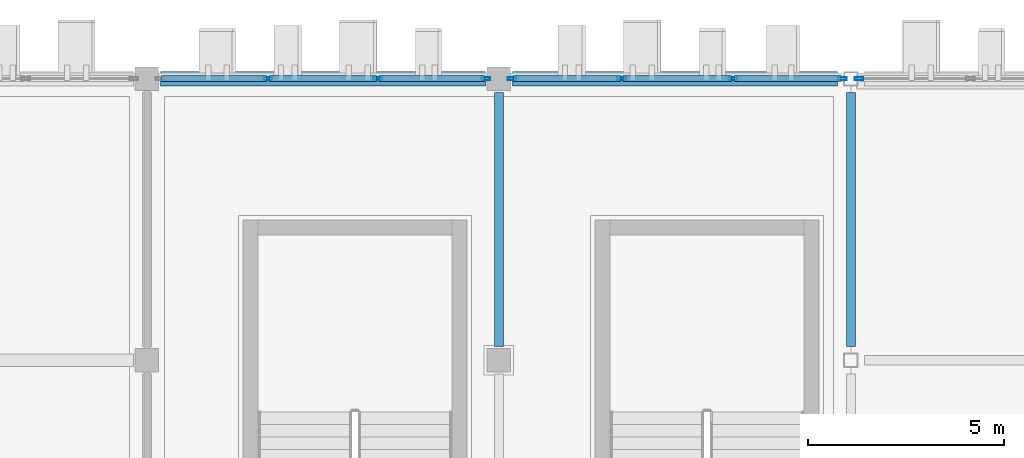
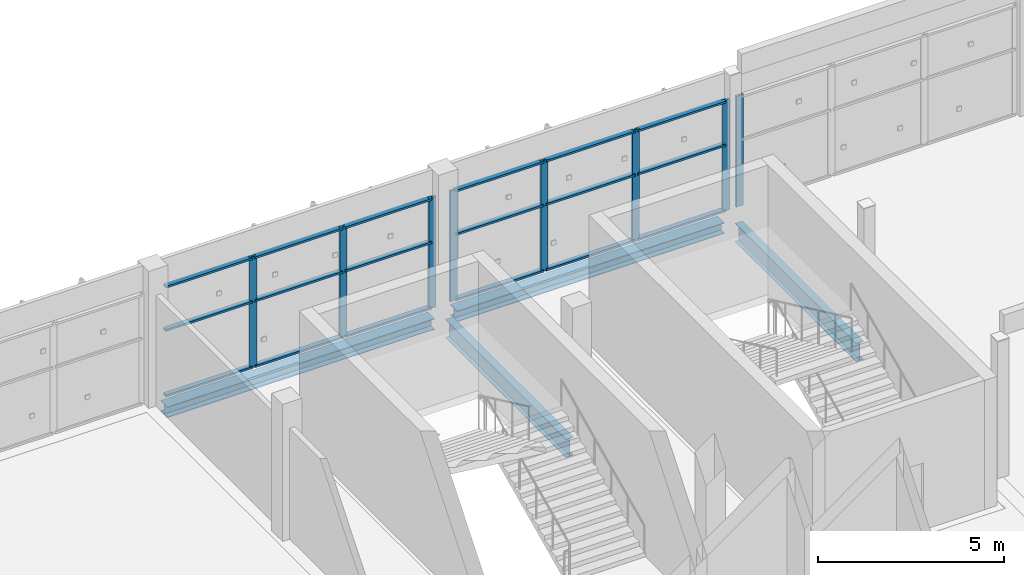
# One storey, part 69 of 124: 26 members, 4 beams, 3 elements without a shape of their own.
"""IFC4 building model written with IfcOpenShell, lengths in metres."""

from ifc_helpers import new_model, si_unit, direction, frame, origin, origin_2d, place, context, subcontext, project, spatial, hollow_rectangle, i_section, extrude, material, layer, layer_set, material_profile, profile_set, type_object, element, aggregate, save


model = new_model("IFC4")

# Units and contexts
model_context = context("Model", 3, precision=1e-05, world=origin(), true_north=direction((0.0, 1.0)))
body_context = subcontext(model_context, "Body", "Model", "MODEL_VIEW")
ifc_project = project(units=[si_unit("LENGTHUNIT", "METRE"), si_unit("AREAUNIT", "SQUARE_METRE"), si_unit("VOLUMEUNIT", "CUBIC_METRE"), si_unit("PLANEANGLEUNIT", "RADIAN"), si_unit("MASSUNIT", "GRAM", prefix="KILO")], contexts=[model_context])

# Site, building, storey
site_placement = place(None, origin())
site = spatial("IfcSite", under=ifc_project, at=site_placement, CompositionType="ELEMENT")
building_placement = place(site_placement, origin())
building = spatial("IfcBuilding", under=site, at=building_placement, Name="Celestram Park Convention Centre", CompositionType="ELEMENT")
storey_placement = place(building_placement, frame((0.0, 0.0, 15.300048828125)))
storey = spatial("IfcBuildingStorey", under=building, at=storey_placement, Name="L03", CompositionType="ELEMENT", Elevation=15.300048828125)

# Curtain wall, members
ifc_material_1 = material(Name="Anodised Aluminium Alloy 6063-T6", Category="aluminium")
ifc_layer_1 = layer(ifc_material_1, 0.179931640625)
ifc_layer_set_1 = layer_set([ifc_layer_1], Name="Anodised Aluminium Alloy 6063-T6")
curtain_wall_type_1 = type_object("IfcCurtainWallType", Name="ARC-CW-840X364", PredefinedType="NOTDEFINED", material=ifc_layer_set_1)
curtain_wall_1_placement = place(storey_placement, origin())
curtain_wall_1 = element("IfcCurtainWall", 1, at=curtain_wall_1_placement, inside=storey, type_object=curtain_wall_type_1, Name="Unitised curtain wall CU-L03-208", PredefinedType="NOTDEFINED")
ifc_material_profile_1 = material_profile(ifc_material_1, hollow_rectangle(XDim=0.074951171875, YDim=0.219970703125, WallThickness=0.00390625, at=origin_2d()), Name="ALU75X220X4")
ifc_profile_set_1 = profile_set([ifc_material_profile_1], Name="Anodised Aluminium Alloy 6063-T6")
member_type_1 = type_object("IfcMemberType", Name="ARC-CWM-180", PredefinedType="MULLION", material=ifc_profile_set_1)
member_1_placement = place(storey_placement, frame((84.099365234375, 165.60009765625, 0.0), z_axis=(0.0, 0.0, 1.0), x_axis=(0.0, 1.0, 0.0)))
member_1 = element("IfcMember", 2, at=member_1_placement, type_object=member_type_1, Name="CW-84X36 mullion 2", PredefinedType="MULLION", context=body_context, shape_type="SweptSolid", body=[
    extrude(hollow_rectangle(XDim=0.074951171875, YDim=0.219970703125, WallThickness=0.00390625, at=origin_2d()), origin(), (0.0, 0.0, 1.0), 3.637939453125),
])
member_2_placement = place(storey_placement, frame((86.900634765625, 165.60009765625, 0.0), z_axis=(0.0, 0.0, 1.0), x_axis=(0.0, 1.0, 0.0)))
member_2 = element("IfcMember", 3, at=member_2_placement, type_object=member_type_1, Name="CW-84X36 mullion 3", PredefinedType="MULLION", context=body_context, shape_type="SweptSolid", body=[
    extrude(hollow_rectangle(XDim=0.074951171875, YDim=0.219970703125, WallThickness=0.00390625, at=origin_2d()), origin(), (0.0, 0.0, 1.0), 3.637939453125),
])
member_3_placement = place(storey_placement, frame((89.66455078125, 165.60009765625, 0.0), z_axis=(0.0, 0.0, 1.0), x_axis=(0.0, 1.0, 0.0)))
member_3 = element("IfcMember", 4, at=member_3_placement, type_object=member_type_1, Name="CW-84X36 mullion 4", PredefinedType="MULLION", context=body_context, shape_type="SweptSolid", body=[
    extrude(hollow_rectangle(XDim=0.074951171875, YDim=0.219970703125, WallThickness=0.00390625, at=origin_2d()), origin(), (0.0, 0.0, 1.0), 3.637939453125),
])

ifc_layer_2 = layer(ifc_material_1, 0.179931640625)
ifc_layer_set_2 = layer_set([ifc_layer_2], Name="Anodised Aluminium Alloy 6063-T6")
curtain_wall_type_2 = type_object("IfcCurtainWallType", Name="ARC-CW-853X364", PredefinedType="NOTDEFINED", material=ifc_layer_set_2)
curtain_wall_2_placement = place(storey_placement, origin())
curtain_wall_2 = element("IfcCurtainWall", 5, at=curtain_wall_2_placement, inside=storey, type_object=curtain_wall_type_2, Name="Unitised curtain wall CU-L03-209", PredefinedType="NOTDEFINED")
member_4_placement = place(storey_placement, frame((90.33544921875, 165.60009765625, 0.0), z_axis=(0.0, 0.0, 1.0), x_axis=(0.0, 1.0, 0.0)))
member_4 = element("IfcMember", 6, at=member_4_placement, type_object=member_type_1, Name="CW-85X36 mullion 1", PredefinedType="MULLION", context=body_context, shape_type="SweptSolid", body=[
    extrude(hollow_rectangle(XDim=0.074951171875, YDim=0.219970703125, WallThickness=0.00390625, at=origin_2d()), origin(), (0.0, 0.0, 1.0), 3.637939453125),
])
member_5_placement = place(storey_placement, frame((93.14111328125, 165.60009765625, 0.0), z_axis=(0.0, 0.0, 1.0), x_axis=(0.0, 1.0, 0.0)))
member_5 = element("IfcMember", 7, at=member_5_placement, type_object=member_type_1, Name="CW-85X36 mullion 2", PredefinedType="MULLION", context=body_context, shape_type="SweptSolid", body=[
    extrude(hollow_rectangle(XDim=0.074951171875, YDim=0.219970703125, WallThickness=0.00390625, at=origin_2d()), origin(), (0.0, 0.0, 1.0), 3.637939453125),
])
member_6_placement = place(storey_placement, frame((95.98388671875, 165.60009765625, 0.0), z_axis=(0.0, 0.0, 1.0), x_axis=(0.0, 1.0, 0.0)))
member_6 = element("IfcMember", 8, at=member_6_placement, type_object=member_type_1, Name="CW-85X36 mullion 3", PredefinedType="MULLION", context=body_context, shape_type="SweptSolid", body=[
    extrude(hollow_rectangle(XDim=0.074951171875, YDim=0.219970703125, WallThickness=0.00390625, at=origin_2d()), origin(), (0.0, 0.0, 1.0), 3.637939453125),
])
member_7_placement = place(storey_placement, frame((98.78955078125, 165.60009765625, 0.0), z_axis=(0.0, 0.0, 1.0), x_axis=(0.0, 1.0, 0.0)))
member_7 = element("IfcMember", 9, at=member_7_placement, type_object=member_type_1, Name="CW-85X36 mullion 4", PredefinedType="MULLION", context=body_context, shape_type="SweptSolid", body=[
    extrude(hollow_rectangle(XDim=0.074951171875, YDim=0.219970703125, WallThickness=0.00390625, at=origin_2d()), origin(), (0.0, 0.0, 1.0), 3.637939453125),
])

# Curtain wall, member
ifc_layer_3 = layer(ifc_material_1, 0.179931640625)
ifc_layer_set_3 = layer_set([ifc_layer_3], Name="Anodised Aluminium Alloy 6063-T6")
curtain_wall_type_3 = type_object("IfcCurtainWallType", Name="ARC-CW-865X364", PredefinedType="NOTDEFINED", material=ifc_layer_set_3)
curtain_wall_3_placement = place(storey_placement, origin())
curtain_wall_3 = element("IfcCurtainWall", 10, at=curtain_wall_3_placement, inside=storey, type_object=curtain_wall_type_3, Name="Unitised curtain wall CU-L03-210", PredefinedType="NOTDEFINED")
member_8_placement = place(storey_placement, frame((99.21044921875, 165.60009765625, 0.0), z_axis=(0.0, 0.0, 1.0), x_axis=(0.0, 1.0, 0.0)))
member_8 = element("IfcMember", 11, at=member_8_placement, type_object=member_type_1, Name="CW-86X36 mullion 1", PredefinedType="MULLION", context=body_context, shape_type="SweptSolid", body=[
    extrude(hollow_rectangle(XDim=0.074951171875, YDim=0.219970703125, WallThickness=0.00390625, at=origin_2d()), origin(), (0.0, 0.0, 1.0), 3.637939453125),
])
aggregate(curtain_wall_3, [member_8])

# Member
ifc_material_profile_2 = material_profile(ifc_material_1, hollow_rectangle(XDim=0.14990234375, YDim=0.06494140625, WallThickness=0.0029296875, at=origin_2d()), Name="ALU150X65X3")
ifc_profile_set_2 = profile_set([ifc_material_profile_2], Name="Anodised Aluminium Alloy 6063-T6")
member_type_2 = type_object("IfcMemberType", Name="ARC-CWT-150", PredefinedType="USERDEFINED", material=ifc_profile_set_2)
member_9_placement = place(storey_placement, frame((81.373046875, 165.60009765625, 0.032470703125), z_axis=(1.0, 0.0, 0.0), x_axis=(0.0, 1.0, 0.0)))
member_9 = element("IfcMember", 12, at=member_9_placement, type_object=member_type_2, Name="CW-84X36 transom 1.1", ObjectType="TRANSOM", PredefinedType="USERDEFINED", context=body_context, shape_type="SweptSolid", body=[
    extrude(hollow_rectangle(XDim=0.14990234375, YDim=0.06494140625, WallThickness=0.0029296875, at=origin_2d()), origin(), (0.0, 0.0, 1.0), 2.688720703125),
])

member_10_placement = place(storey_placement, frame((81.373046875, 165.60009765625, 2.182861328125), z_axis=(1.0, 0.0, 0.0), x_axis=(0.0, 1.0, 0.0)))
member_10 = element("IfcMember", 13, at=member_10_placement, type_object=member_type_2, Name="CW-84X36 transom 1.2", ObjectType="TRANSOM", PredefinedType="USERDEFINED", context=body_context, shape_type="SweptSolid", body=[
    extrude(hollow_rectangle(XDim=0.14990234375, YDim=0.06494140625, WallThickness=0.0029296875, at=origin_2d()), origin(), (0.0, 0.0, 1.0), 2.688720703125),
])

member_11_placement = place(storey_placement, frame((81.373046875, 165.60009765625, 3.60546875), z_axis=(1.0, 0.0, 0.0), x_axis=(0.0, 1.0, 0.0)))
member_11 = element("IfcMember", 14, at=member_11_placement, type_object=member_type_2, Name="CW-84X36 transom 1.3", ObjectType="TRANSOM", PredefinedType="USERDEFINED", context=body_context, shape_type="SweptSolid", body=[
    extrude(hollow_rectangle(XDim=0.14990234375, YDim=0.06494140625, WallThickness=0.0029296875, at=origin_2d()), origin(), (0.0, 0.0, 1.0), 2.688720703125),
])

member_12_placement = place(storey_placement, frame((84.13671875, 165.60009765625, 0.032470703125), z_axis=(1.0, 0.0, 0.0), x_axis=(0.0, 1.0, 0.0)))
member_12 = element("IfcMember", 15, at=member_12_placement, type_object=member_type_2, Name="CW-84X36 transom 2.1", ObjectType="TRANSOM", PredefinedType="USERDEFINED", context=body_context, shape_type="SweptSolid", body=[
    extrude(hollow_rectangle(XDim=0.14990234375, YDim=0.06494140625, WallThickness=0.0029296875, at=origin_2d()), origin(), (0.0, 0.0, 1.0), 2.7265625),
])

member_13_placement = place(storey_placement, frame((84.13671875, 165.60009765625, 2.182861328125), z_axis=(1.0, 0.0, 0.0), x_axis=(0.0, 1.0, 0.0)))
member_13 = element("IfcMember", 16, at=member_13_placement, type_object=member_type_2, Name="CW-84X36 transom 2.2", ObjectType="TRANSOM", PredefinedType="USERDEFINED", context=body_context, shape_type="SweptSolid", body=[
    extrude(hollow_rectangle(XDim=0.14990234375, YDim=0.06494140625, WallThickness=0.0029296875, at=origin_2d()), origin(), (0.0, 0.0, 1.0), 2.7265625),
])

member_14_placement = place(storey_placement, frame((84.13671875, 165.60009765625, 3.60546875), z_axis=(1.0, 0.0, 0.0), x_axis=(0.0, 1.0, 0.0)))
member_14 = element("IfcMember", 17, at=member_14_placement, type_object=member_type_2, Name="CW-84X36 transom 2.3", ObjectType="TRANSOM", PredefinedType="USERDEFINED", context=body_context, shape_type="SweptSolid", body=[
    extrude(hollow_rectangle(XDim=0.14990234375, YDim=0.06494140625, WallThickness=0.0029296875, at=origin_2d()), origin(), (0.0, 0.0, 1.0), 2.7265625),
])

member_15_placement = place(storey_placement, frame((86.938232421875, 165.60009765625, 0.032470703125), z_axis=(1.0, 0.0, 0.0), x_axis=(0.0, 1.0, 0.0)))
member_15 = element("IfcMember", 18, at=member_15_placement, type_object=member_type_2, Name="CW-84X36 transom 3.1", ObjectType="TRANSOM", PredefinedType="USERDEFINED", context=body_context, shape_type="SweptSolid", body=[
    extrude(hollow_rectangle(XDim=0.14990234375, YDim=0.06494140625, WallThickness=0.0029296875, at=origin_2d()), origin(), (0.0, 0.0, 1.0), 2.688720703125),
])

member_16_placement = place(storey_placement, frame((86.938232421875, 165.60009765625, 2.182861328125), z_axis=(1.0, 0.0, 0.0), x_axis=(0.0, 1.0, 0.0)))
member_16 = element("IfcMember", 19, at=member_16_placement, type_object=member_type_2, Name="CW-84X36 transom 3.2", ObjectType="TRANSOM", PredefinedType="USERDEFINED", context=body_context, shape_type="SweptSolid", body=[
    extrude(hollow_rectangle(XDim=0.14990234375, YDim=0.06494140625, WallThickness=0.0029296875, at=origin_2d()), origin(), (0.0, 0.0, 1.0), 2.688720703125),
])

member_17_placement = place(storey_placement, frame((86.938232421875, 165.60009765625, 3.60546875), z_axis=(1.0, 0.0, 0.0), x_axis=(0.0, 1.0, 0.0)))
member_17 = element("IfcMember", 20, at=member_17_placement, type_object=member_type_2, Name="CW-84X36 transom 3.3", ObjectType="TRANSOM", PredefinedType="USERDEFINED", context=body_context, shape_type="SweptSolid", body=[
    extrude(hollow_rectangle(XDim=0.14990234375, YDim=0.06494140625, WallThickness=0.0029296875, at=origin_2d()), origin(), (0.0, 0.0, 1.0), 2.688720703125),
])

aggregate(curtain_wall_1, [member_1, member_2, member_3, member_9, member_10, member_11, member_12, member_13, member_14, member_15, member_16, member_17])

member_18_placement = place(storey_placement, frame((90.373046875, 165.60009765625, 0.032470703125), z_axis=(1.0, 0.0, 0.0), x_axis=(0.0, 1.0, 0.0)))
member_18 = element("IfcMember", 21, at=member_18_placement, type_object=member_type_2, Name="CW-85X36 transom 1.1", ObjectType="TRANSOM", PredefinedType="USERDEFINED", context=body_context, shape_type="SweptSolid", body=[
    extrude(hollow_rectangle(XDim=0.14990234375, YDim=0.06494140625, WallThickness=0.0029296875, at=origin_2d()), origin(), (0.0, 0.0, 1.0), 2.73046875),
])

member_19_placement = place(storey_placement, frame((90.373046875, 165.60009765625, 2.182861328125), z_axis=(1.0, 0.0, 0.0), x_axis=(0.0, 1.0, 0.0)))
member_19 = element("IfcMember", 22, at=member_19_placement, type_object=member_type_2, Name="CW-85X36 transom 1.2", ObjectType="TRANSOM", PredefinedType="USERDEFINED", context=body_context, shape_type="SweptSolid", body=[
    extrude(hollow_rectangle(XDim=0.14990234375, YDim=0.06494140625, WallThickness=0.0029296875, at=origin_2d()), origin(), (0.0, 0.0, 1.0), 2.73046875),
])

member_20_placement = place(storey_placement, frame((90.373046875, 165.60009765625, 3.60546875), z_axis=(1.0, 0.0, 0.0), x_axis=(0.0, 1.0, 0.0)))
member_20 = element("IfcMember", 23, at=member_20_placement, type_object=member_type_2, Name="CW-85X36 transom 1.3", ObjectType="TRANSOM", PredefinedType="USERDEFINED", context=body_context, shape_type="SweptSolid", body=[
    extrude(hollow_rectangle(XDim=0.14990234375, YDim=0.06494140625, WallThickness=0.0029296875, at=origin_2d()), origin(), (0.0, 0.0, 1.0), 2.73046875),
])

member_21_placement = place(storey_placement, frame((93.178466796875, 165.60009765625, 0.032470703125), z_axis=(1.0, 0.0, 0.0), x_axis=(0.0, 1.0, 0.0)))
member_21 = element("IfcMember", 24, at=member_21_placement, type_object=member_type_2, Name="CW-85X36 transom 2.1", ObjectType="TRANSOM", PredefinedType="USERDEFINED", context=body_context, shape_type="SweptSolid", body=[
    extrude(hollow_rectangle(XDim=0.14990234375, YDim=0.06494140625, WallThickness=0.0029296875, at=origin_2d()), origin(), (0.0, 0.0, 1.0), 2.76806640625),
])

member_22_placement = place(storey_placement, frame((93.178466796875, 165.60009765625, 2.182861328125), z_axis=(1.0, 0.0, 0.0), x_axis=(0.0, 1.0, 0.0)))
member_22 = element("IfcMember", 25, at=member_22_placement, type_object=member_type_2, Name="CW-85X36 transom 2.2", ObjectType="TRANSOM", PredefinedType="USERDEFINED", context=body_context, shape_type="SweptSolid", body=[
    extrude(hollow_rectangle(XDim=0.14990234375, YDim=0.06494140625, WallThickness=0.0029296875, at=origin_2d()), origin(), (0.0, 0.0, 1.0), 2.76806640625),
])

member_23_placement = place(storey_placement, frame((93.178466796875, 165.60009765625, 3.60546875), z_axis=(1.0, 0.0, 0.0), x_axis=(0.0, 1.0, 0.0)))
member_23 = element("IfcMember", 26, at=member_23_placement, type_object=member_type_2, Name="CW-85X36 transom 2.3", ObjectType="TRANSOM", PredefinedType="USERDEFINED", context=body_context, shape_type="SweptSolid", body=[
    extrude(hollow_rectangle(XDim=0.14990234375, YDim=0.06494140625, WallThickness=0.0029296875, at=origin_2d()), origin(), (0.0, 0.0, 1.0), 2.76806640625),
])

member_24_placement = place(storey_placement, frame((96.021484375, 165.60009765625, 0.032470703125), z_axis=(1.0, 0.0, 0.0), x_axis=(0.0, 1.0, 0.0)))
member_24 = element("IfcMember", 27, at=member_24_placement, type_object=member_type_2, Name="CW-85X36 transom 3.1", ObjectType="TRANSOM", PredefinedType="USERDEFINED", context=body_context, shape_type="SweptSolid", body=[
    extrude(hollow_rectangle(XDim=0.14990234375, YDim=0.06494140625, WallThickness=0.0029296875, at=origin_2d()), origin(), (0.0, 0.0, 1.0), 2.73046875),
])

member_25_placement = place(storey_placement, frame((96.021484375, 165.60009765625, 2.182861328125), z_axis=(1.0, 0.0, 0.0), x_axis=(0.0, 1.0, 0.0)))
member_25 = element("IfcMember", 28, at=member_25_placement, type_object=member_type_2, Name="CW-85X36 transom 3.2", ObjectType="TRANSOM", PredefinedType="USERDEFINED", context=body_context, shape_type="SweptSolid", body=[
    extrude(hollow_rectangle(XDim=0.14990234375, YDim=0.06494140625, WallThickness=0.0029296875, at=origin_2d()), origin(), (0.0, 0.0, 1.0), 2.73046875),
])

member_26_placement = place(storey_placement, frame((96.021484375, 165.60009765625, 3.60546875), z_axis=(1.0, 0.0, 0.0), x_axis=(0.0, 1.0, 0.0)))
member_26 = element("IfcMember", 29, at=member_26_placement, type_object=member_type_2, Name="CW-85X36 transom 3.3", ObjectType="TRANSOM", PredefinedType="USERDEFINED", context=body_context, shape_type="SweptSolid", body=[
    extrude(hollow_rectangle(XDim=0.14990234375, YDim=0.06494140625, WallThickness=0.0029296875, at=origin_2d()), origin(), (0.0, 0.0, 1.0), 2.73046875),
])

aggregate(curtain_wall_2, [member_4, member_5, member_6, member_7, member_18, member_19, member_20, member_21, member_22, member_23, member_24, member_25, member_26])

# Beams
ifc_material_2 = material(Name="Steel ASTM A992 Grade 50", Category="steel")
ifc_material_profile_3 = material_profile(ifc_material_2, i_section(OverallWidth=0.22900390625, OverallDepth=0.612060546875, WebThickness=0.011962890625, FlangeThickness=0.01953125, at=origin_2d()), Name="W24X84")
ifc_profile_set_3 = profile_set([ifc_material_profile_3], Name="Steel ASTM A992 Grade 50")
beam_type_1 = type_object("IfcBeamType", Name="STR-BM-W24X84", PredefinedType="BEAM", material=ifc_profile_set_3)
for number, where, z_axis, x_axis, name in (
    (30, (90.0, 158.748046875, -0.55615234375), (0.0, 1.0, 0.0), (-1.0, 0.0, 0.0), "Primary Y-girder BG-L03-0099"),
    (31, (99.0, 158.748046875, -0.55615234375), (0.0, 1.0, 0.0), (-1.0, 0.0, 0.0), "Primary Y-girder BG-L03-0115"),
):
    element("IfcBeam", number, at=place(storey_placement, frame(where, z_axis=z_axis, x_axis=x_axis)), inside=storey, type_object=beam_type_1, Name=name, PredefinedType="BEAM", context=body_context, shape_type="SweptSolid", body=[
        extrude(i_section(OverallWidth=0.22900390625, OverallDepth=0.612060546875, WebThickness=0.011962890625, FlangeThickness=0.01953125, at=origin_2d()), origin(), (0.0, 0.0, 1.0), 6.50390625),
    ])
ifc_material_profile_4 = material_profile(ifc_material_2, i_section(OverallWidth=0.367919921875, OverallDepth=0.35595703125, WebThickness=0.01123046875, FlangeThickness=0.01806640625, at=origin_2d()), Name="W14X90")
ifc_profile_set_4 = profile_set([ifc_material_profile_4], Name="Steel ASTM A992 Grade 50")
beam_type_2 = type_object("IfcBeamType", Name="STR-SPN-W14X90", PredefinedType="SPANDREL", material=ifc_profile_set_4)
for number, where, z_axis, x_axis, name in (
    (32, (81.347900390625, 165.60009765625, -0.427978515625), (1.0, 0.0, 0.0), (0.0, 1.0, 0.0), "Primary X-girder BG-L03-0085"),
    (33, (90.347900390625, 165.60009765625, -0.427978515625), (1.0, 0.0, 0.0), (0.0, 1.0, 0.0), "Primary X-girder BG-L03-0100"),
):
    element("IfcBeam", number, at=place(storey_placement, frame(where, z_axis=z_axis, x_axis=x_axis)), inside=storey, type_object=beam_type_2, Name=name, PredefinedType="SPANDREL", context=body_context, shape_type="SweptSolid", body=[
        extrude(i_section(OverallWidth=0.367919921875, OverallDepth=0.35595703125, WebThickness=0.01123046875, FlangeThickness=0.01806640625, at=origin_2d()), origin(), (0.0, 0.0, 1.0), 8.30419921875),
    ])

save(model, "model.ifc")
